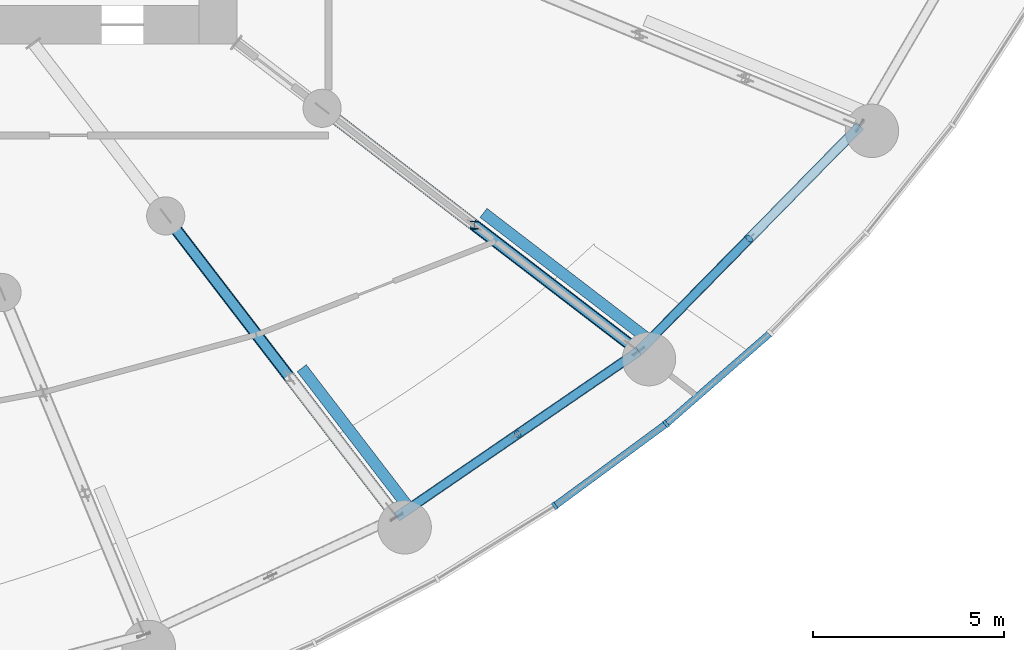
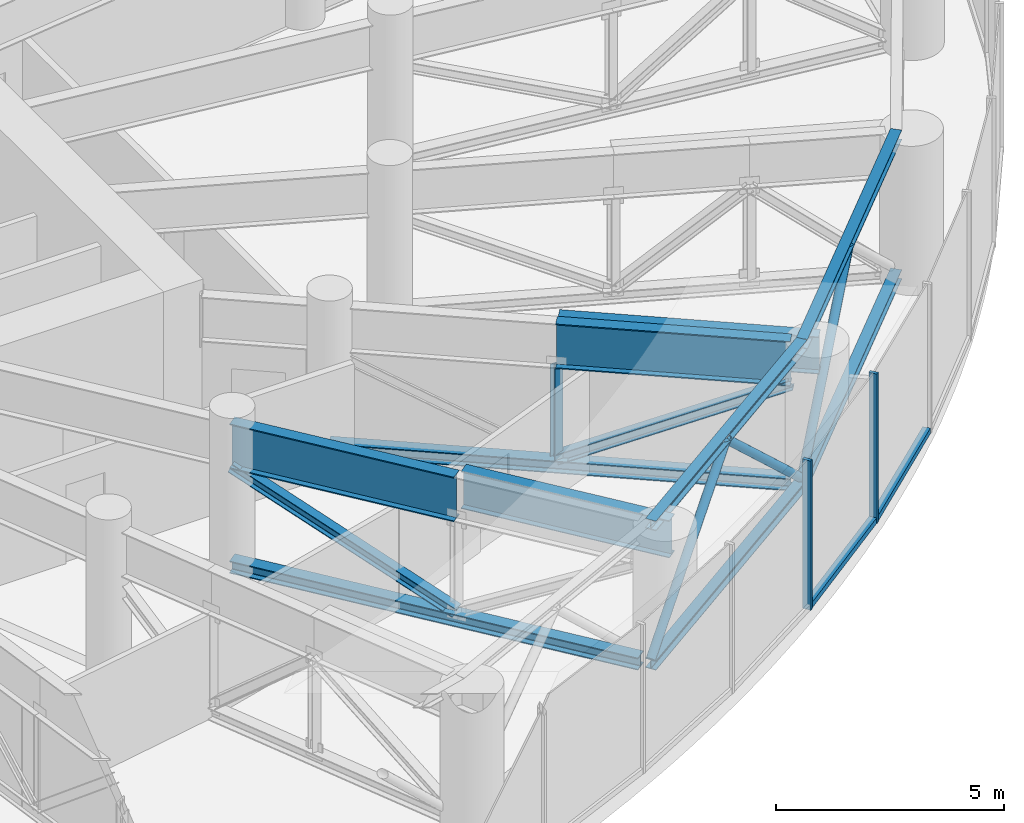
# One storey, part 7 of 42: 16 members, 4 beams, 1 element without a shape of its own.
"""IFC4 building model written with IfcOpenShell, lengths in metres."""

from ifc_helpers import new_model, si_unit, direction, frame, origin, origin_2d, place, context, subcontext, project, spatial, rectangle, hollow_circle, i_section, extrude, source, transform, mapped, material, layer, layer_set, material_profile, profile_set, type_object, element, aggregate, save


model = new_model("IFC4")

# Units and contexts
model_context = context("Model", 3, precision=1e-05, world=origin(), true_north=direction((0.0, 1.0)))
body_context = subcontext(model_context, "Body", "Model", "MODEL_VIEW")
ifc_project = project(units=[si_unit("LENGTHUNIT", "METRE"), si_unit("AREAUNIT", "SQUARE_METRE"), si_unit("VOLUMEUNIT", "CUBIC_METRE"), si_unit("PLANEANGLEUNIT", "RADIAN"), si_unit("MASSUNIT", "GRAM", prefix="KILO")], contexts=[model_context])

# Site, building, storey
site_placement = place(None, origin())
site = spatial("IfcSite", under=ifc_project, at=site_placement, CompositionType="ELEMENT")
building_placement = place(site_placement, origin())
building = spatial("IfcBuilding", under=site, at=building_placement, Name="Spindrift Exchange Tower", CompositionType="ELEMENT")
storey_placement = place(building_placement, frame((0.0, 0.0, 75.39990234375)))
storey = spatial("IfcBuildingStorey", under=building, at=storey_placement, Name="L17", CompositionType="ELEMENT", Elevation=75.39990234375)

# Member
ifc_material_1 = material(Name="Steel Grade 300", Category="steel")
ifc_material_profile_1 = material_profile(ifc_material_1, i_section(OverallWidth=0.205078125, OverallDepth=0.2099609375, WebThickness=0.00927734375, FlangeThickness=0.01416015625, FilletRadius=0.012939453125, at=origin_2d()), Name="200UC59.5")
ifc_profile_set_1 = profile_set([ifc_material_profile_1], Name="Steel Grade 300")
member_type_1 = type_object("IfcMemberType", Name="Outrigger Truss Post 200UC59.5 Steel Grade 300", PredefinedType="POST", material=ifc_profile_set_1)
shared_shape_1 = source(origin(), body_context, "Body", "SweptSolid", [
    extrude(i_section(OverallWidth=0.205078125, OverallDepth=0.2099609375, WebThickness=0.00927734375, FlangeThickness=0.01416015625, FilletRadius=0.012939453125, at=origin_2d()), origin(), (0.0, 0.0, 1.0), 2.472900390625),
])
member_1_placement = place(storey_placement, frame((71.2197265625, 33.252197265625, 0.3271484375), z_axis=(0.0, 0.0, 1.0), x_axis=(1.0, 0.0, 0.0)))
element("IfcMember", 1, at=member_1_placement, inside=storey, type_object=member_type_1, Name="L17 outrigger truss 22 post 2", PredefinedType="POST", context=body_context, shape_type="MappedRepresentation", body=[
    mapped(shared_shape_1, transform((0.0, 0.0, 0.0), scale=1.0)),
])

# Beam
ifc_material_profile_2 = material_profile(ifc_material_1, i_section(OverallWidth=0.300048828125, OverallDepth=1.199951171875, WebThickness=0.011962890625, FlangeThickness=0.028076171875, at=origin_2d()), Name="1200WB249")
ifc_profile_set_2 = profile_set([ifc_material_profile_2], Name="Steel Grade 300")
beam_type_1 = type_object("IfcBeamType", Name="Outrigger Truss Transfer Girder 1200WB249 Steel Grade 300", PredefinedType="BEAM", material=ifc_profile_set_2)
shared_shape_2 = source(origin(), body_context, "Body", "SweptSolid", [
    extrude(i_section(OverallWidth=0.300048828125, OverallDepth=1.199951171875, WebThickness=0.011962890625, FlangeThickness=0.028076171875, at=origin_2d()), origin(), (0.0, 0.0, 1.0), 5.335693359375),
])
beam_1_placement = place(storey_placement, frame((63.1337890625, 33.489990234375, 3.400146484375), z_axis=(0.608792667056, -0.793329369517, 0.0), x_axis=(0.793329369517, 0.608792667056, 0.0)))
element("IfcBeam", 2, at=beam_1_placement, inside=storey, type_object=beam_type_1, Name="L17 outrigger truss 21 top chord 2", PredefinedType="BEAM", context=body_context, shape_type="MappedRepresentation", body=[
    mapped(shared_shape_2, transform((0.0, 0.0, 0.0), scale=1.0)),
])

# Members
ifc_material_profile_3 = material_profile(ifc_material_1, i_section(OverallWidth=0.31103515625, OverallDepth=0.326904296875, WebThickness=0.015625, FlangeThickness=0.02490234375, FilletRadius=0.0166015625, at=origin_2d()), Name="310UC158")
ifc_profile_set_3 = profile_set([ifc_material_profile_3], Name="Steel Grade 300")
member_type_2 = type_object("IfcMemberType", Name="Outrigger Truss Chord 310UC158 Steel Grade 300", PredefinedType="CHORD", material=ifc_profile_set_3)
shared_shape_3 = source(origin(), body_context, "Body", "SweptSolid", [
    extrude(i_section(OverallWidth=0.31103515625, OverallDepth=0.326904296875, WebThickness=0.015625, FlangeThickness=0.02490234375, FilletRadius=0.0166015625, at=origin_2d()), origin(), (0.0, 0.0, 1.0), 9.707763671875),
])
member_2_placement = place(storey_placement, frame((63.1337890625, 33.489990234375, 0.16357421875), z_axis=(0.608759891008, -0.793354520438, 0.0), x_axis=(0.793354520438, 0.608759891008, 0.0)))
element("IfcMember", 3, at=member_2_placement, inside=storey, type_object=member_type_2, Name="L17 outrigger truss 21 bottom chord 2", PredefinedType="CHORD", context=body_context, shape_type="MappedRepresentation", body=[
    mapped(shared_shape_3, transform((0.0, 0.0, 0.0), scale=1.0)),
])
ifc_material_profile_4 = material_profile(ifc_material_1, i_section(OverallWidth=0.256103515625, OverallDepth=0.260009765625, WebThickness=0.010498046875, FlangeThickness=0.017333984375, FilletRadius=0.011962890625, at=origin_2d()), Name="250UC89.5")
ifc_profile_set_4 = profile_set([ifc_material_profile_4], Name="Steel Grade 300")
member_type_3 = type_object("IfcMemberType", Name="Outrigger Truss Diagonal 250UC89.5 Steel Grade 300", PredefinedType="BRACE", material=ifc_profile_set_4)
shared_shape_4 = source(origin(), body_context, "Body", "SweptSolid", [
    extrude(i_section(OverallWidth=0.256103515625, OverallDepth=0.260009765625, WebThickness=0.010498046875, FlangeThickness=0.017333984375, FilletRadius=0.011962890625, at=origin_2d()), origin(), (0.0, 0.0, 1.0), 5.880859375),
])
member_3_placement = place(storey_placement, frame((63.1337890625, 33.489990234375, 2.800048828125), z_axis=(0.552352494551, -0.71978110113, -0.420501947938), x_axis=(0.793329369517, 0.608792667056, 0.0)))
element("IfcMember", 4, at=member_3_placement, inside=storey, type_object=member_type_3, Name="L17 outrigger truss 21 diagonal 2", PredefinedType="BRACE", context=body_context, shape_type="MappedRepresentation", body=[
    mapped(shared_shape_4, transform((0.0, 0.0, 0.0), scale=1.0)),
])
shared_shape_5 = source(origin(), body_context, "Body", "SweptSolid", [
    extrude(i_section(OverallWidth=0.31103515625, OverallDepth=0.326904296875, WebThickness=0.015625, FlangeThickness=0.02490234375, FilletRadius=0.0166015625, at=origin_2d()), origin(), (0.0, 0.0, 1.0), 10.2197265625),
])
member_4_placement = place(storey_placement, frame((67.232421875, 36.311767578125, 0.16357421875), z_axis=(0.793352524253, -0.608762492489, 0.0), x_axis=(0.608762492489, 0.793352524253, 0.0)))
element("IfcMember", 5, at=member_4_placement, inside=storey, type_object=member_type_2, Name="L17 outrigger truss 22 bottom chord 2", PredefinedType="CHORD", context=body_context, shape_type="MappedRepresentation", body=[
    mapped(shared_shape_5, transform((0.0, 0.0, 0.0), scale=1.0)),
])

# Beam
shared_shape_6 = source(origin(), body_context, "Body", "SweptSolid", [
    extrude(i_section(OverallWidth=0.300048828125, OverallDepth=1.199951171875, WebThickness=0.011962890625, FlangeThickness=0.028076171875, at=origin_2d()), origin(), (0.0, 0.0, 1.0), 5.19384765625),
])
beam_2_placement = place(storey_placement, frame((71.2197265625, 33.252197265625, 3.400146484375), z_axis=(0.793352089495, -0.608763059074, 0.0), x_axis=(0.608763059074, 0.793352089495, 0.0)))
element("IfcBeam", 6, at=beam_2_placement, inside=storey, type_object=beam_type_1, Name="L17 outrigger truss 22 top chord 3", PredefinedType="BEAM", context=body_context, shape_type="MappedRepresentation", body=[
    mapped(shared_shape_6, transform((0.0, 0.0, 0.0), scale=1.0)),
])

# Members
shared_shape_7 = source(origin(), body_context, "Body", "SweptSolid", [
    extrude(i_section(OverallWidth=0.256103515625, OverallDepth=0.260009765625, WebThickness=0.010498046875, FlangeThickness=0.017333984375, FilletRadius=0.011962890625, at=origin_2d()), origin(), (0.0, 0.0, 1.0), 5.752685546875),
])
member_5_placement = place(storey_placement, frame((71.2197265625, 33.252197265625, 0.3271484375), z_axis=(0.716307357017, -0.549644305056, 0.429877782867), x_axis=(0.608763059074, 0.793352089495, 0.0)))
element("IfcMember", 7, at=member_5_placement, inside=storey, type_object=member_type_3, Name="L17 outrigger truss 22 diagonal 3", PredefinedType="BRACE", context=body_context, shape_type="MappedRepresentation", body=[
    mapped(shared_shape_7, transform((0.0, 0.0, 0.0), scale=1.0)),
])
ifc_material_profile_5 = material_profile(ifc_material_1, i_section(OverallWidth=0.256103515625, OverallDepth=0.260009765625, WebThickness=0.010498046875, FlangeThickness=0.017333984375, FilletRadius=0.011962890625, at=origin_2d()), Name="250UC89.5")
ifc_profile_set_5 = profile_set([ifc_material_profile_5], Name="Steel Grade 300")
member_type_4 = type_object("IfcMemberType", Name="Belt Truss Chord 250UC89.5 Steel Grade 300", PredefinedType="CHORD", material=ifc_profile_set_5)
shared_shape_8 = source(origin(), body_context, "Body", "SweptSolid", [
    extrude(i_section(OverallWidth=0.256103515625, OverallDepth=0.260009765625, WebThickness=0.010498046875, FlangeThickness=0.017333984375, FilletRadius=0.011962890625, at=origin_2d()), origin(), (0.0, 0.0, 1.0), 7.687744140625),
])
for number, where, z_axis, x_axis, name in (
    (8, (69.189697265625, 25.597900390625, 3.8701171875), (0.824858327157, 0.565339491031, 0.0), (-0.565339491031, 0.824858327157, 0.0), "L17 belt truss 21 top chord"),
    (9, (69.189697265625, 25.597900390625, 0.130126953125), (0.824858327157, 0.565339491031, 0.0), (-0.565339491031, 0.824858327157, 0.0), "L17 belt truss 21 bottom chord"),
):
    element("IfcMember", number, at=place(storey_placement, frame(where, z_axis=z_axis, x_axis=x_axis)), inside=storey, type_object=member_type_4, Name=name, PredefinedType="CHORD", context=body_context, shape_type="MappedRepresentation", body=[
        mapped(shared_shape_8, transform((0.0, 0.0, 0.0), scale=1.0)),
    ])
ifc_material_2 = material(Name="Steel Grade 350", Category="steel")
ifc_material_profile_6 = material_profile(ifc_material_2, hollow_circle(Radius=0.109619140625, WallThickness=0.00830078125, at=origin_2d()), Name="219.1x8.2CHS")
ifc_profile_set_6 = profile_set([ifc_material_profile_6], Name="Steel Grade 350")
member_type_5 = type_object("IfcMemberType", Name="Belt Truss Diagonal 219.1x8.2CHS Steel Grade 350", PredefinedType="BRACE", material=ifc_profile_set_6)
shared_shape_9 = source(origin(), body_context, "Body", "SweptSolid", [
    extrude(hollow_circle(Radius=0.109619140625, WallThickness=0.00830078125, at=origin_2d()), origin(), (0.0, 0.0, 1.0), 5.18505859375),
])
member_6_placement = place(storey_placement, frame((69.189697265625, 25.597900390625, 0.260009765625), z_axis=(0.611459395041, 0.419112896601, 0.671164501534), x_axis=(-0.565369110456, 0.824838025883, 0.0)))
element("IfcMember", 10, at=member_6_placement, inside=storey, type_object=member_type_5, Name="L17 belt truss 21 diagonal 1", PredefinedType="BRACE", context=body_context, shape_type="MappedRepresentation", body=[
    mapped(shared_shape_9, transform((0.0, 0.0, 0.0), scale=1.0)),
])
shared_shape_10 = source(origin(), body_context, "Body", "SweptSolid", [
    extrude(hollow_circle(Radius=0.109619140625, WallThickness=0.00830078125, at=origin_2d()), origin(), (0.0, 0.0, 1.0), 5.185302734375),
])
member_7_placement = place(storey_placement, frame((72.360107421875, 27.77099609375, 3.739990234375), z_axis=(0.611518352735, 0.419088763296, -0.671125854626), x_axis=(-0.565309873981, 0.824878625241, 0.0)))
element("IfcMember", 11, at=member_7_placement, inside=storey, type_object=member_type_5, Name="L17 belt truss 21 diagonal 2", PredefinedType="BRACE", context=body_context, shape_type="MappedRepresentation", body=[
    mapped(shared_shape_10, transform((0.0, 0.0, 0.0), scale=1.0)),
])
shared_shape_11 = source(origin(), body_context, "Body", "SweptSolid", [
    extrude(i_section(OverallWidth=0.256103515625, OverallDepth=0.260009765625, WebThickness=0.010498046875, FlangeThickness=0.017333984375, FilletRadius=0.011962890625, at=origin_2d()), origin(), (0.0, 0.0, 1.0), 8.27783203125),
])
for number, where, z_axis, x_axis, name in (
    (12, (75.531005859375, 29.944091796875, 3.8701171875), (0.700588441745, 0.713565578832, 0.0), (-0.713565578832, 0.700588441745, 0.0), "L17 belt truss 22 top chord"),
    (13, (75.531005859375, 29.944091796875, 0.130126953125), (0.700588441745, 0.713565578832, 0.0), (-0.713565578832, 0.700588441745, 0.0), "L17 belt truss 22 bottom chord"),
):
    element("IfcMember", number, at=place(storey_placement, frame(where, z_axis=z_axis, x_axis=x_axis)), inside=storey, type_object=member_type_4, Name=name, PredefinedType="CHORD", context=body_context, shape_type="MappedRepresentation", body=[
        mapped(shared_shape_11, transform((0.0, 0.0, 0.0), scale=1.0)),
    ])
shared_shape_12 = source(origin(), body_context, "Body", "SweptSolid", [
    extrude(hollow_circle(Radius=0.109619140625, WallThickness=0.00830078125, at=origin_2d()), origin(), (0.0, 0.0, 1.0), 5.407470703125),
])
member_8_placement = place(storey_placement, frame((75.531005859375, 29.944091796875, 0.260009765625), z_axis=(0.53623251093, 0.546165250881, 0.643551251224), x_axis=(-0.713565578832, 0.700588441745, 0.0)))
element("IfcMember", 14, at=member_8_placement, inside=storey, type_object=member_type_5, Name="L17 belt truss 22 diagonal 1", PredefinedType="BRACE", context=body_context, shape_type="MappedRepresentation", body=[
    mapped(shared_shape_12, transform((0.0, 0.0, 0.0), scale=1.0)),
])

# Beams
ifc_material_profile_7 = material_profile(ifc_material_1, i_section(OverallWidth=0.300048828125, OverallDepth=1.0, WebThickness=0.010009765625, FlangeThickness=0.02001953125, at=origin_2d()), Name="1000WB215")
ifc_profile_set_7 = profile_set([ifc_material_profile_7], Name="Steel Grade 300")
beam_type_2 = type_object("IfcBeamType", Name="Transfer Tie Beam 1000WB215 Steel Grade 300", PredefinedType="BEAM", material=ifc_profile_set_7)
shared_shape_13 = source(origin(), body_context, "Body", "SweptSolid", [
    extrude(i_section(OverallWidth=0.300048828125, OverallDepth=1.0, WebThickness=0.010009765625, FlangeThickness=0.02001953125, at=origin_2d()), origin(), (0.0, 0.0, 1.0), 4.9521484375),
])
beam_3_placement = place(storey_placement, frame((69.7138671875, 25.57177734375, 3.400146484375), z_axis=(-0.608766831684, 0.793349194644, 0.0), x_axis=(-0.793349194644, -0.608766831684, 0.0)))
element("IfcBeam", 15, at=beam_3_placement, inside=storey, type_object=beam_type_2, Name="L17 transfer tie beam K21", PredefinedType="BEAM", context=body_context, shape_type="MappedRepresentation", body=[
    mapped(shared_shape_13, transform((0.0, 0.0, 0.0), scale=1.0)),
])
shared_shape_14 = source(origin(), body_context, "Body", "SweptSolid", [
    extrude(i_section(OverallWidth=0.300048828125, OverallDepth=1.0, WebThickness=0.010009765625, FlangeThickness=0.02001953125, at=origin_2d()), origin(), (0.0, 0.0, 1.0), 5.77392578125),
])
beam_4_placement = place(storey_placement, frame((76.044189453125, 30.054443359375, 3.400146484375), z_axis=(-0.793360615822, 0.608751947236, 0.0), x_axis=(-0.608751947236, -0.793360615822, 0.0)))
element("IfcBeam", 16, at=beam_4_placement, inside=storey, type_object=beam_type_2, Name="L17 transfer tie beam K22", PredefinedType="BEAM", context=body_context, shape_type="MappedRepresentation", body=[
    mapped(shared_shape_14, transform((0.0, 0.0, 0.0), scale=1.0)),
])

# Curtain wall, members
ifc_material_3 = material(Name="Fritted laminated glass with bronze frame", Category="glass")
ifc_layer = layer(ifc_material_3, 0.199951171875)
ifc_layer_set = layer_set([ifc_layer], Name="ZONE 1 BRONZE FRITTED WALL")
curtain_wall_type = type_object("IfcCurtainWallType", Name="ZONE 1 BRONZE FRITTED WALL", PredefinedType="NOTDEFINED", material=ifc_layer_set)
curtain_wall_placement = place(storey_placement, origin())
curtain_wall = element("IfcCurtainWall", 17, at=curtain_wall_placement, inside=storey, type_object=curtain_wall_type, Name="L17 Zone 1 Bronze Fritted Wall run 9", PredefinedType="NOTDEFINED")
ifc_material_4 = material(Name="Bronze anodised aluminium", Category="aluminium")
ifc_material_profile_8 = material_profile(ifc_material_4, rectangle(XDim=0.179931640625, YDim=0.14990234375, at=origin_2d()), Name="ZONE 1 BRONZE FRITTED WALL TRANSOM 180X150")
ifc_profile_set_8 = profile_set([ifc_material_profile_8], Name="Bronze anodised aluminium")
member_type_6 = type_object("IfcMemberType", Name="ZONE 1 BRONZE FRITTED WALL TRANSOM 180X150", PredefinedType="USERDEFINED", material=ifc_profile_set_8)
shared_shape_15 = source(origin(), body_context, "Body", "SweptSolid", [
    extrude(rectangle(XDim=0.179931640625, YDim=0.14990234375, at=origin_2d()), origin(), (0.0, 0.0, 1.0), 3.547119140625),
])
member_9_placement = place(storey_placement, frame((73.36279296875, 25.912109375, 0.0751953125), z_axis=(0.805140596566, 0.593083990478, 0.0), x_axis=(-0.593083990478, 0.805140596566, 0.0)))
member_9 = element("IfcMember", 18, at=member_9_placement, type_object=member_type_6, Name="L17 transom CW-1.49", ObjectType="TRANSOM", PredefinedType="USERDEFINED", context=body_context, shape_type="MappedRepresentation", body=[
    mapped(shared_shape_15, transform((0.0, 0.0, 0.0), scale=1.0)),
])
member_10_placement = place(storey_placement, frame((76.281005859375, 28.06591796875, 0.0751953125), z_axis=(0.7535777621, 0.657358773022, 0.0), x_axis=(-0.657358773022, 0.7535777621, 0.0)))
member_10 = element("IfcMember", 19, at=member_10_placement, type_object=member_type_6, Name="L17 transom CW-1.50", ObjectType="TRANSOM", PredefinedType="USERDEFINED", context=body_context, shape_type="MappedRepresentation", body=[
    mapped(shared_shape_15, transform((0.0, 0.0, 0.0), scale=1.0)),
])
ifc_material_profile_9 = material_profile(ifc_material_4, rectangle(XDim=0.080078125, YDim=0.199951171875, at=origin_2d()), Name="ZONE 1 BRONZE FRITTED WALL MULLION 80X200")
ifc_profile_set_9 = profile_set([ifc_material_profile_9], Name="Bronze anodised aluminium")
member_type_7 = type_object("IfcMemberType", Name="ZONE 1 BRONZE FRITTED WALL MULLION 80X200", PredefinedType="MULLION", material=ifc_profile_set_9)
shared_shape_16 = source(origin(), body_context, "Body", "SweptSolid", [
    extrude(rectangle(XDim=0.080078125, YDim=0.199951171875, at=origin_2d()), origin(), (0.0, 0.0, 1.0), 4.0),
])
member_11_placement = place(storey_placement, frame((73.33056640625, 25.888427734375, 0.0), z_axis=(0.0, 0.0, 1.0), x_axis=(0.827830385396, 0.560978478211, 0.0)))
member_11 = element("IfcMember", 20, at=member_11_placement, type_object=member_type_7, Name="L17 mullion CW-1.49", PredefinedType="MULLION", context=body_context, shape_type="MappedRepresentation", body=[
    mapped(shared_shape_16, transform((0.0, 0.0, 0.0), scale=1.0)),
])
member_12_placement = place(storey_placement, frame((76.2509765625, 28.039794921875, 0.0), z_axis=(0.0, 0.0, 1.0), x_axis=(0.780010411564, 0.625766536219, 0.0)))
member_12 = element("IfcMember", 21, at=member_12_placement, type_object=member_type_7, Name="L17 mullion CW-1.50", PredefinedType="MULLION", context=body_context, shape_type="MappedRepresentation", body=[
    mapped(shared_shape_16, transform((0.0, 0.0, 0.0), scale=1.0)),
])
aggregate(curtain_wall, [member_11, member_9, member_12, member_10])

save(model, "model.ifc")
